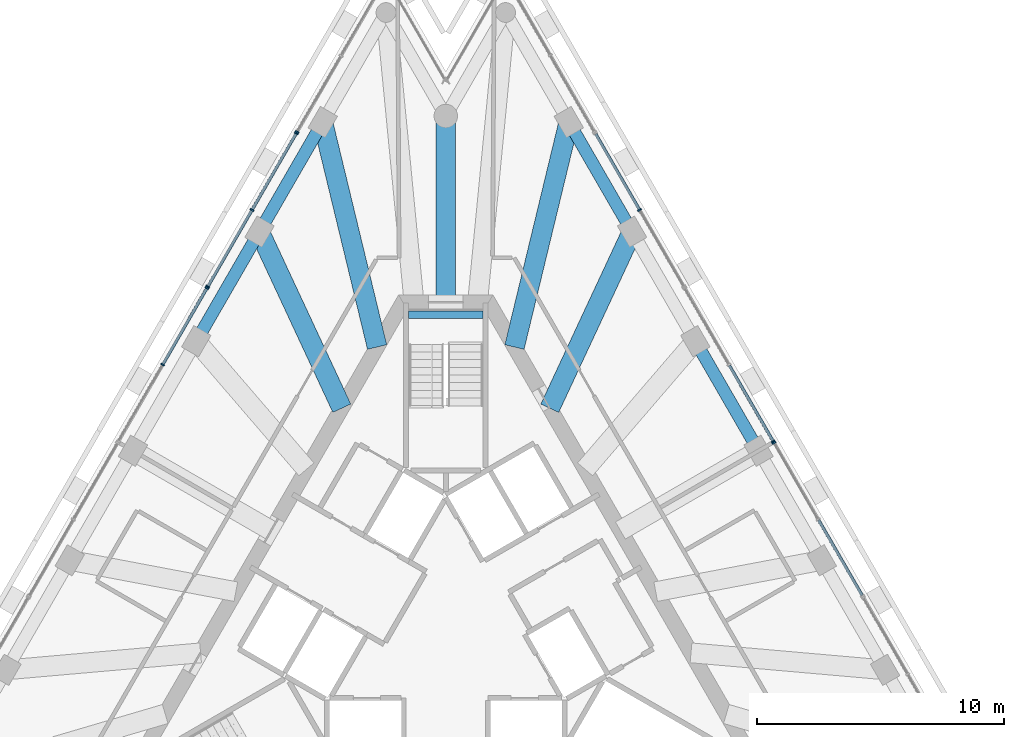
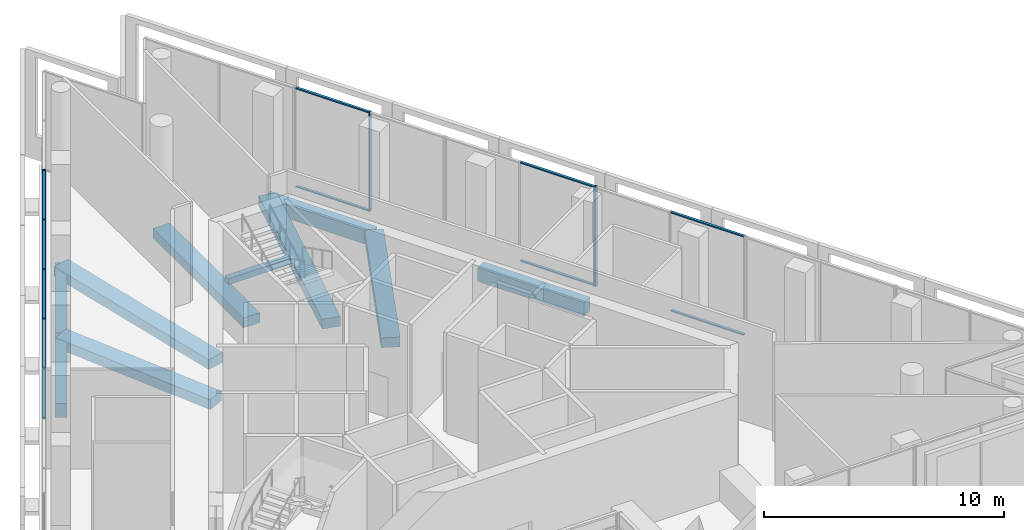
# One storey, part 8 of 17: 21 members, 10 beams, 6 elements without a shape of their own.
"""IFC4 building model written with IfcOpenShell, lengths in metres."""

from ifc_helpers import new_model, si_unit, direction, frame, origin, origin_2d, place, context, subcontext, project, spatial, rectangle, extrude, material, layer, layer_set, material_profile, profile_set, type_object, element, aggregate, save


model = new_model("IFC4")

# Units and contexts
model_context = context("Model", 3, precision=1e-05, world=origin(), true_north=direction((0.0, 1.0)))
body_context = subcontext(model_context, "Body", "Model", "MODEL_VIEW")
ifc_project = project(units=[si_unit("LENGTHUNIT", "METRE"), si_unit("AREAUNIT", "SQUARE_METRE"), si_unit("VOLUMEUNIT", "CUBIC_METRE"), si_unit("PLANEANGLEUNIT", "RADIAN"), si_unit("MASSUNIT", "GRAM", prefix="KILO")], contexts=[model_context])

# Site, building, storey
site_placement = place(None, origin())
site = spatial("IfcSite", under=ifc_project, at=site_placement, CompositionType="ELEMENT")
building_placement = place(site_placement, origin())
building = spatial("IfcBuilding", under=site, at=building_placement, Name="Triada Interchange Tower", CompositionType="ELEMENT")
storey_placement = place(building_placement, frame((0.0, 0.0, 322.300048828125)))
storey = spatial("IfcBuildingStorey", under=building, at=storey_placement, Name="L77", CompositionType="ELEMENT", Elevation=322.300048828125)

# Beam
ifc_material_1 = material(Name="Concrete C35/45", Category="concrete")
ifc_material_profile_1 = material_profile(ifc_material_1, rectangle(XDim=0.300048828125, YDim=0.300048828125, at=origin_2d()), Name="RC 300x300")
ifc_profile_set_1 = profile_set([ifc_material_profile_1], Name="Concrete C35/45")
beam_type_1 = type_object("IfcBeamType", Name="Landing support beam RC 300x300", PredefinedType="BEAM", material=ifc_profile_set_1)
beam_1_placement = place(storey_placement, frame((1.5, 12.800048828125, 2.3212890625), z_axis=(-1.0, 0.0, 0.0), x_axis=(0.0, -1.0, 0.0)))
element("IfcBeam", 1, at=beam_1_placement, inside=storey, type_object=beam_type_1, Name="Landing support beam S77-1 1", PredefinedType="BEAM", context=body_context, shape_type="SweptSolid", body=[
    extrude(rectangle(XDim=0.300048828125, YDim=0.300048828125, at=origin_2d()), origin(), (0.0, 0.0, 1.0), 3.0),
])

# Curtain wall, member
ifc_material_2 = material(Name="Aluminium framed glazing", Category="aluminium")
ifc_layer = layer(ifc_material_2, 0.199951171875)
ifc_layer_set = layer_set([ifc_layer], Name="Curtain wall Sky lobby glazing")
curtain_wall_type = type_object("IfcCurtainWallType", Name="Curtain wall Sky lobby glazing", PredefinedType="NOTDEFINED", material=ifc_layer_set)
curtain_wall_1_placement = place(storey_placement, origin())
curtain_wall_1 = element("IfcCurtainWall", 2, at=curtain_wall_1_placement, inside=storey, type_object=curtain_wall_type, Name="Sky lobby glazing CW301 L77", PredefinedType="NOTDEFINED")
ifc_material_3 = material(Name="Aluminium", Category="aluminium")
ifc_material_profile_2 = material_profile(ifc_material_3, rectangle(XDim=0.159912109375, YDim=0.06005859375, at=origin_2d()), Name="Aluminium mullion")
ifc_profile_set_2 = profile_set([ifc_material_profile_2], Name="Aluminium")
member_type_1 = type_object("IfcMemberType", Name="Mullion Sky lobby glazing 160x60", PredefinedType="MULLION", material=ifc_profile_set_2)
member_1_placement = place(storey_placement, frame((-6.010009765625, 20.18994140625, 0.0), z_axis=(0.0, 0.0, 1.0), x_axis=(0.866025060103, -0.500000595274, 0.0)))
member_1 = element("IfcMember", 3, at=member_1_placement, type_object=member_type_1, Name="CW301 mullion 3", PredefinedType="MULLION", context=body_context, shape_type="SweptSolid", body=[
    extrude(rectangle(XDim=0.159912109375, YDim=0.06005859375, at=origin_2d()), origin(), (0.0, 0.0, 1.0), 5.050048828125),
])
aggregate(curtain_wall_1, [member_1])

# Curtain wall, members
curtain_wall_2_placement = place(storey_placement, origin())
curtain_wall_2 = element("IfcCurtainWall", 4, at=curtain_wall_2_placement, inside=storey, type_object=curtain_wall_type, Name="Sky lobby glazing CW302 L77", PredefinedType="NOTDEFINED")
member_2_placement = place(storey_placement, frame((-6.044921875, 20.130126953125, 0.0), z_axis=(0.0, 0.0, 1.0), x_axis=(0.866067851015, -0.499926472032, 0.0)))
member_2 = element("IfcMember", 5, at=member_2_placement, type_object=member_type_1, Name="CW302 mullion 1", PredefinedType="MULLION", context=body_context, shape_type="SweptSolid", body=[
    extrude(rectangle(XDim=0.159912109375, YDim=0.06005859375, at=origin_2d()), origin(), (0.0, 0.0, 1.0), 5.050048828125),
])
member_3_placement = place(storey_placement, frame((-7.8330078125, 17.032470703125, 0.0), z_axis=(0.0, 0.0, 1.0), x_axis=(0.866067851015, -0.499926472032, 0.0)))
member_3 = element("IfcMember", 6, at=member_3_placement, type_object=member_type_1, Name="CW302 mullion 2", PredefinedType="MULLION", context=body_context, shape_type="SweptSolid", body=[
    extrude(rectangle(XDim=0.159912109375, YDim=0.06005859375, at=origin_2d()), origin(), (0.0, 0.0, 1.0), 5.050048828125),
])
member_4_placement = place(storey_placement, frame((-9.62109375, 13.93505859375, 0.0), z_axis=(0.0, 0.0, 1.0), x_axis=(0.866067851015, -0.499926472032, 0.0)))
member_4 = element("IfcMember", 7, at=member_4_placement, type_object=member_type_1, Name="CW302 mullion 3", PredefinedType="MULLION", context=body_context, shape_type="SweptSolid", body=[
    extrude(rectangle(XDim=0.159912109375, YDim=0.06005859375, at=origin_2d()), origin(), (0.0, 0.0, 1.0), 5.050048828125),
])

curtain_wall_3_placement = place(storey_placement, origin())
curtain_wall_3 = element("IfcCurtainWall", 8, at=curtain_wall_3_placement, inside=storey, type_object=curtain_wall_type, Name="Sky lobby glazing CW303 L77", PredefinedType="NOTDEFINED")
member_5_placement = place(storey_placement, frame((-9.656005859375, 13.875, 0.0), z_axis=(0.0, 0.0, 1.0), x_axis=(0.866007823062, -0.500030449467, 0.0)))
member_5 = element("IfcMember", 9, at=member_5_placement, type_object=member_type_1, Name="CW303 mullion 1", PredefinedType="MULLION", context=body_context, shape_type="SweptSolid", body=[
    extrude(rectangle(XDim=0.159912109375, YDim=0.06005859375, at=origin_2d()), origin(), (0.0, 0.0, 1.0), 5.050048828125),
])
member_6_placement = place(storey_placement, frame((-11.444580078125, 10.777587890625, 0.0), z_axis=(0.0, 0.0, 1.0), x_axis=(0.866007823062, -0.500030449467, 0.0)))
member_6 = element("IfcMember", 10, at=member_6_placement, type_object=member_type_1, Name="CW303 mullion 2", PredefinedType="MULLION", context=body_context, shape_type="SweptSolid", body=[
    extrude(rectangle(XDim=0.159912109375, YDim=0.06005859375, at=origin_2d()), origin(), (0.0, 0.0, 1.0), 5.050048828125),
])

# Curtain wall, member
curtain_wall_4_placement = place(storey_placement, origin())
curtain_wall_4 = element("IfcCurtainWall", 11, at=curtain_wall_4_placement, inside=storey, type_object=curtain_wall_type, Name="Sky lobby glazing CW319 L77", PredefinedType="NOTDEFINED")
member_7_placement = place(storey_placement, frame((13.26806640625, 7.6201171875, 0.0), z_axis=(0.0, 0.0, 1.0), x_axis=(-0.866007823062, -0.500030449467, 0.0)))
member_7 = element("IfcMember", 12, at=member_7_placement, type_object=member_type_1, Name="CW319 mullion 3", PredefinedType="MULLION", context=body_context, shape_type="SweptSolid", body=[
    extrude(rectangle(XDim=0.159912109375, YDim=0.06005859375, at=origin_2d()), origin(), (0.0, 0.0, 1.0), 5.050048828125),
])

curtain_wall_5_placement = place(storey_placement, origin())
curtain_wall_5 = element("IfcCurtainWall", 13, at=curtain_wall_5_placement, inside=storey, type_object=curtain_wall_type, Name="Sky lobby glazing CW320 L77", PredefinedType="NOTDEFINED")
member_8_placement = place(storey_placement, frame((13.23291015625, 7.679931640625, 0.0), z_axis=(0.0, 0.0, 1.0), x_axis=(-0.866067851015, -0.499926472032, 0.0)))
member_8 = element("IfcMember", 14, at=member_8_placement, type_object=member_type_1, Name="CW320 mullion 1", PredefinedType="MULLION", context=body_context, shape_type="SweptSolid", body=[
    extrude(rectangle(XDim=0.159912109375, YDim=0.06005859375, at=origin_2d()), origin(), (0.0, 0.0, 1.0), 5.050048828125),
])

curtain_wall_6_placement = place(storey_placement, origin())
curtain_wall_6 = element("IfcCurtainWall", 15, at=curtain_wall_6_placement, inside=storey, type_object=curtain_wall_type, Name="Sky lobby glazing CW321 L77", PredefinedType="NOTDEFINED")
member_9_placement = place(storey_placement, frame((7.83349609375, 17.032470703125, 0.0), z_axis=(0.0, 0.0, 1.0), x_axis=(-0.866007823062, -0.500030449467, 0.0)))
member_9 = element("IfcMember", 16, at=member_9_placement, type_object=member_type_1, Name="CW321 mullion 2", PredefinedType="MULLION", context=body_context, shape_type="SweptSolid", body=[
    extrude(rectangle(XDim=0.159912109375, YDim=0.06005859375, at=origin_2d()), origin(), (0.0, 0.0, 1.0), 5.050048828125),
])

# Beams
ifc_material_4 = material(Name="Concrete C50/60", Category="concrete")
ifc_material_profile_3 = material_profile(ifc_material_4, rectangle(XDim=0.800048828125, YDim=0.5, at=origin_2d()), Name="RC 800x500")
ifc_profile_set_3 = profile_set([ifc_material_profile_3], Name="Concrete C50/60")
beam_type_2 = type_object("IfcBeamType", Name="Radial band beam D RC 800x500", PredefinedType="BEAM", material=ifc_profile_set_3)
beam_2_placement = place(storey_placement, frame((-4.972900390625, 20.5859375, -0.550048828125), z_axis=(0.234834398298, -0.972035393067, 0.0), x_axis=(0.972035393067, 0.234834398298, 0.0)))
element("IfcBeam", 17, at=beam_2_placement, inside=storey, type_object=beam_type_2, Name="Radial band beam BD02 L77", PredefinedType="BEAM", context=body_context, shape_type="SweptSolid", body=[
    extrude(rectangle(XDim=0.800048828125, YDim=0.5, at=origin_2d()), origin(), (0.0, 0.0, 1.0), 9.355712890625),
])
for number, where, z_axis, x_axis, name in (
    (18, (-7.530029296875, 16.156982421875, -0.550048828125), (0.42247980944, -0.906372335531, 0.0), (0.906372335531, 0.42247980944, 0.0), "Radial band beam BD03 L77"),
    (19, (7.530029296875, 16.156982421875, -0.550048828125), (-0.42247980944, -0.906372335531, 0.0), (0.906372335531, -0.42247980944, 0.0), "Radial band beam BD27 L77"),
):
    element("IfcBeam", number, at=place(storey_placement, frame(where, z_axis=z_axis, x_axis=x_axis)), inside=storey, type_object=beam_type_2, Name=name, PredefinedType="BEAM", context=body_context, shape_type="SweptSolid", body=[
        extrude(rectangle(XDim=0.800048828125, YDim=0.5, at=origin_2d()), origin(), (0.0, 0.0, 1.0), 7.875244140625),
    ])
beam_3_placement = place(storey_placement, frame((4.972900390625, 20.5859375, -0.550048828125), z_axis=(-0.234834398298, -0.972035393067, 0.0), x_axis=(0.972035393067, -0.234834398298, 0.0)))
element("IfcBeam", 20, at=beam_3_placement, inside=storey, type_object=beam_type_2, Name="Radial band beam BD28 L77", PredefinedType="BEAM", context=body_context, shape_type="SweptSolid", body=[
    extrude(rectangle(XDim=0.800048828125, YDim=0.5, at=origin_2d()), origin(), (0.0, 0.0, 1.0), 9.355712890625),
])
beam_4_placement = place(storey_placement, frame((0.0, 20.830078125, -0.550048828125), z_axis=(0.0, -1.0, 0.0), x_axis=(1.0, 0.0, 0.0)))
element("IfcBeam", 21, at=beam_4_placement, inside=storey, type_object=beam_type_2, Name="Radial band beam BD30 L77", PredefinedType="BEAM", context=body_context, shape_type="SweptSolid", body=[
    extrude(rectangle(XDim=0.800048828125, YDim=0.5, at=origin_2d()), origin(), (0.0, 0.0, 1.0), 7.530029296875),
])
ifc_material_profile_4 = material_profile(ifc_material_4, rectangle(XDim=0.5, YDim=0.699951171875, at=origin_2d()), Name="RC 500x700")
ifc_profile_set_4 = profile_set([ifc_material_profile_4], Name="Concrete C50/60")
beam_type_3 = type_object("IfcBeamType", Name="Spandrel beam D RC 500x700", PredefinedType="BEAM", material=ifc_profile_set_4)
beam_5_placement = place(storey_placement, frame((-4.972900390625, 20.5859375, -0.650146484375), z_axis=(-0.500010338873, -0.866019434551, 0.0), x_axis=(0.866019434551, -0.500010338873, 0.0)))
element("IfcBeam", 22, at=beam_5_placement, inside=storey, type_object=beam_type_3, Name="Spandrel beam ED02 L77", PredefinedType="BEAM", context=body_context, shape_type="SweptSolid", body=[
    extrude(rectangle(XDim=0.5, YDim=0.699951171875, at=origin_2d()), origin(), (0.0, 0.0, 1.0), 5.1142578125),
])
beam_6_placement = place(storey_placement, frame((-7.530029296875, 16.156982421875, -0.650146484375), z_axis=(-0.500057230025, -0.865992359493, 0.0), x_axis=(0.865992359493, -0.500057230025, 0.0)))
element("IfcBeam", 23, at=beam_6_placement, inside=storey, type_object=beam_type_3, Name="Spandrel beam ED03 L77", PredefinedType="BEAM", context=body_context, shape_type="SweptSolid", body=[
    extrude(rectangle(XDim=0.5, YDim=0.699951171875, at=origin_2d()), origin(), (0.0, 0.0, 1.0), 5.11328125),
])
for number, where, z_axis, x_axis, name in (
    (24, (12.64404296875, 7.300048828125, -0.650146484375), (-0.500010338873, 0.866019434551, 0.0), (-0.866019434551, -0.500010338873, 0.0), "Spandrel beam ED25 L77"),
    (25, (7.530029296875, 16.156982421875, -0.650146484375), (-0.500010338873, 0.866019434551, 0.0), (-0.866019434551, -0.500010338873, 0.0), "Spandrel beam ED27 L77"),
):
    element("IfcBeam", number, at=place(storey_placement, frame(where, z_axis=z_axis, x_axis=x_axis)), inside=storey, type_object=beam_type_3, Name=name, PredefinedType="BEAM", context=body_context, shape_type="SweptSolid", body=[
        extrude(rectangle(XDim=0.5, YDim=0.699951171875, at=origin_2d()), origin(), (0.0, 0.0, 1.0), 5.1142578125),
    ])

# Member
ifc_material_profile_5 = material_profile(ifc_material_3, rectangle(XDim=0.1201171875, YDim=0.06005859375, at=origin_2d()), Name="Aluminium transom")
ifc_profile_set_5 = profile_set([ifc_material_profile_5], Name="Aluminium")
member_type_2 = type_object("IfcMemberType", Name="Transom Sky lobby glazing 120x60", PredefinedType="USERDEFINED", material=ifc_profile_set_5)
member_10_placement = place(storey_placement, frame((-6.06005859375, 20.10400390625, 0.030029296875), z_axis=(-0.499954839991, -0.866051475358, 0.0), x_axis=(0.866051475358, -0.499954839991, 0.0)))
member_10 = element("IfcMember", 26, at=member_10_placement, type_object=member_type_2, Name="CW302 transom 1.1", ObjectType="TRANSOM", PredefinedType="USERDEFINED", context=body_context, shape_type="SweptSolid", body=[
    extrude(rectangle(XDim=0.1201171875, YDim=0.06005859375, at=origin_2d()), origin(), (0.0, 0.0, 1.0), 3.516357421875),
])

member_11_placement = place(storey_placement, frame((-6.06005859375, 20.10400390625, 5.02001953125), z_axis=(-0.499954839991, -0.866051475358, 0.0), x_axis=(0.866051475358, -0.499954839991, 0.0)))
member_11 = element("IfcMember", 27, at=member_11_placement, type_object=member_type_2, Name="CW302 transom 1.2", ObjectType="TRANSOM", PredefinedType="USERDEFINED", context=body_context, shape_type="SweptSolid", body=[
    extrude(rectangle(XDim=0.1201171875, YDim=0.06005859375, at=origin_2d()), origin(), (0.0, 0.0, 1.0), 3.516357421875),
])

member_12_placement = place(storey_placement, frame((-7.847900390625, 17.006591796875, 0.030029296875), z_axis=(-0.499924779873, -0.86606882779, 0.0), x_axis=(0.86606882779, -0.499924779873, 0.0)))
member_12 = element("IfcMember", 28, at=member_12_placement, type_object=member_type_2, Name="CW302 transom 2.1", ObjectType="TRANSOM", PredefinedType="USERDEFINED", context=body_context, shape_type="SweptSolid", body=[
    extrude(rectangle(XDim=0.1201171875, YDim=0.06005859375, at=origin_2d()), origin(), (0.0, 0.0, 1.0), 3.5166015625),
])

member_13_placement = place(storey_placement, frame((-7.847900390625, 17.006591796875, 5.02001953125), z_axis=(-0.499924779873, -0.86606882779, 0.0), x_axis=(0.86606882779, -0.499924779873, 0.0)))
member_13 = element("IfcMember", 29, at=member_13_placement, type_object=member_type_2, Name="CW302 transom 2.2", ObjectType="TRANSOM", PredefinedType="USERDEFINED", context=body_context, shape_type="SweptSolid", body=[
    extrude(rectangle(XDim=0.1201171875, YDim=0.06005859375, at=origin_2d()), origin(), (0.0, 0.0, 1.0), 3.5166015625),
])

aggregate(curtain_wall_2, [member_2, member_3, member_4, member_10, member_11, member_12, member_13])

member_14_placement = place(storey_placement, frame((-9.6708984375, 13.84912109375, 0.030029296875), z_axis=(-0.500028916005, -0.866008708477, 0.0), x_axis=(0.866008708477, -0.500028916005, 0.0)))
member_14 = element("IfcMember", 30, at=member_14_placement, type_object=member_type_2, Name="CW303 transom 1.1", ObjectType="TRANSOM", PredefinedType="USERDEFINED", context=body_context, shape_type="SweptSolid", body=[
    extrude(rectangle(XDim=0.1201171875, YDim=0.06005859375, at=origin_2d()), origin(), (0.0, 0.0, 1.0), 3.516845703125),
])

member_15_placement = place(storey_placement, frame((-9.6708984375, 13.84912109375, 5.02001953125), z_axis=(-0.500028916005, -0.866008708477, 0.0), x_axis=(0.866008708477, -0.500028916005, 0.0)))
member_15 = element("IfcMember", 31, at=member_15_placement, type_object=member_type_2, Name="CW303 transom 1.2", ObjectType="TRANSOM", PredefinedType="USERDEFINED", context=body_context, shape_type="SweptSolid", body=[
    extrude(rectangle(XDim=0.1201171875, YDim=0.06005859375, at=origin_2d()), origin(), (0.0, 0.0, 1.0), 3.516845703125),
])

aggregate(curtain_wall_3, [member_5, member_6, member_14, member_15])

member_16_placement = place(storey_placement, frame((16.830078125, 1.450927734375, 0.030029296875), z_axis=(-0.500028916005, 0.866008708477, 0.0), x_axis=(-0.866008708477, -0.500028916005, 0.0)))
member_16 = element("IfcMember", 32, at=member_16_placement, type_object=member_type_2, Name="CW319 transom 1.1", ObjectType="TRANSOM", PredefinedType="USERDEFINED", context=body_context, shape_type="SweptSolid", body=[
    extrude(rectangle(XDim=0.1201171875, YDim=0.06005859375, at=origin_2d()), origin(), (0.0, 0.0, 1.0), 3.516845703125),
])

member_17_placement = place(storey_placement, frame((16.830078125, 1.450927734375, 5.02001953125), z_axis=(-0.500028916005, 0.866008708477, 0.0), x_axis=(-0.866008708477, -0.500028916005, 0.0)))
member_17 = element("IfcMember", 33, at=member_17_placement, type_object=member_type_2, Name="CW319 transom 1.2", ObjectType="TRANSOM", PredefinedType="USERDEFINED", context=body_context, shape_type="SweptSolid", body=[
    extrude(rectangle(XDim=0.1201171875, YDim=0.06005859375, at=origin_2d()), origin(), (0.0, 0.0, 1.0), 3.516845703125),
])

aggregate(curtain_wall_4, [member_7, member_16, member_17])

member_18_placement = place(storey_placement, frame((13.218017578125, 7.7060546875, 0.030029296875), z_axis=(-0.499954839991, 0.866051475358, 0.0), x_axis=(-0.866051475358, -0.499954839991, 0.0)))
member_18 = element("IfcMember", 34, at=member_18_placement, type_object=member_type_2, Name="CW320 transom 1.1", ObjectType="TRANSOM", PredefinedType="USERDEFINED", context=body_context, shape_type="SweptSolid", body=[
    extrude(rectangle(XDim=0.1201171875, YDim=0.06005859375, at=origin_2d()), origin(), (0.0, 0.0, 1.0), 3.516357421875),
])

member_19_placement = place(storey_placement, frame((13.218017578125, 7.7060546875, 5.02001953125), z_axis=(-0.499954839991, 0.866051475358, 0.0), x_axis=(-0.866051475358, -0.499954839991, 0.0)))
member_19 = element("IfcMember", 35, at=member_19_placement, type_object=member_type_2, Name="CW320 transom 1.2", ObjectType="TRANSOM", PredefinedType="USERDEFINED", context=body_context, shape_type="SweptSolid", body=[
    extrude(rectangle(XDim=0.1201171875, YDim=0.06005859375, at=origin_2d()), origin(), (0.0, 0.0, 1.0), 3.516357421875),
])

aggregate(curtain_wall_5, [member_8, member_18, member_19])

member_20_placement = place(storey_placement, frame((7.818603515625, 17.05859375, 0.030029296875), z_axis=(-0.500058978211, 0.865991350021, 0.0), x_axis=(-0.865991350021, -0.500058978211, 0.0)))
member_20 = element("IfcMember", 36, at=member_20_placement, type_object=member_type_2, Name="CW321 transom 2.1", ObjectType="TRANSOM", PredefinedType="USERDEFINED", context=body_context, shape_type="SweptSolid", body=[
    extrude(rectangle(XDim=0.1201171875, YDim=0.06005859375, at=origin_2d()), origin(), (0.0, 0.0, 1.0), 3.5166015625),
])

member_21_placement = place(storey_placement, frame((7.818603515625, 17.05859375, 5.02001953125), z_axis=(-0.500058978211, 0.865991350021, 0.0), x_axis=(-0.865991350021, -0.500058978211, 0.0)))
member_21 = element("IfcMember", 37, at=member_21_placement, type_object=member_type_2, Name="CW321 transom 2.2", ObjectType="TRANSOM", PredefinedType="USERDEFINED", context=body_context, shape_type="SweptSolid", body=[
    extrude(rectangle(XDim=0.1201171875, YDim=0.06005859375, at=origin_2d()), origin(), (0.0, 0.0, 1.0), 3.5166015625),
])

aggregate(curtain_wall_6, [member_9, member_20, member_21])

save(model, "model.ifc")
